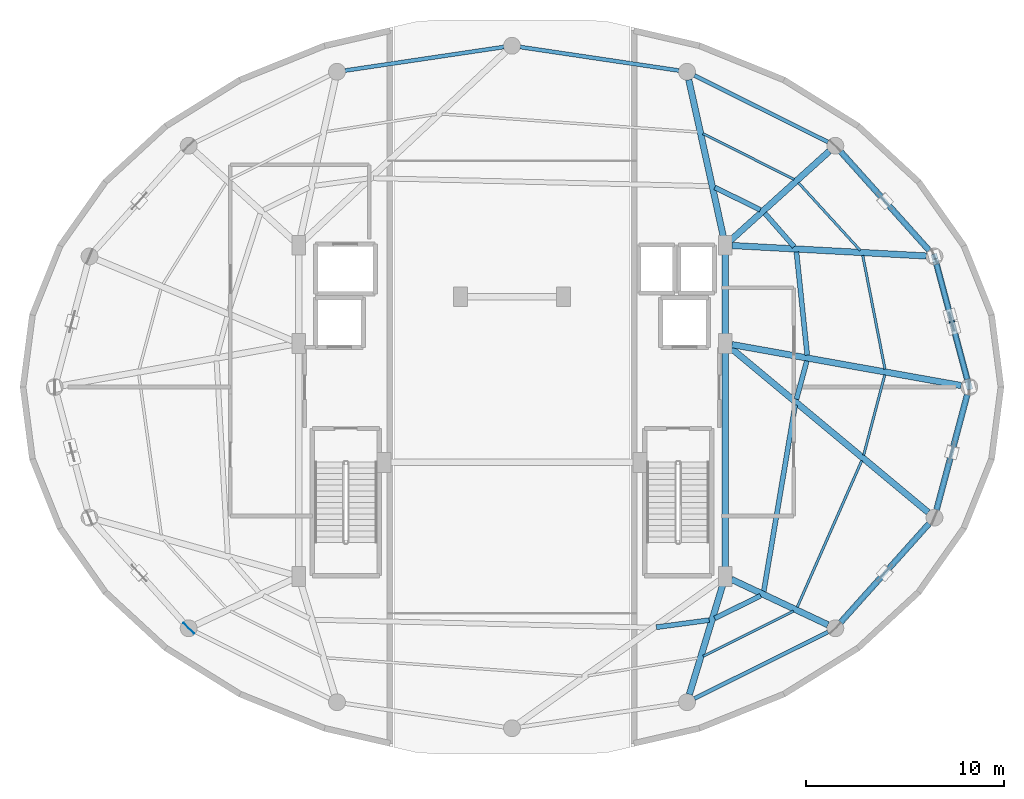
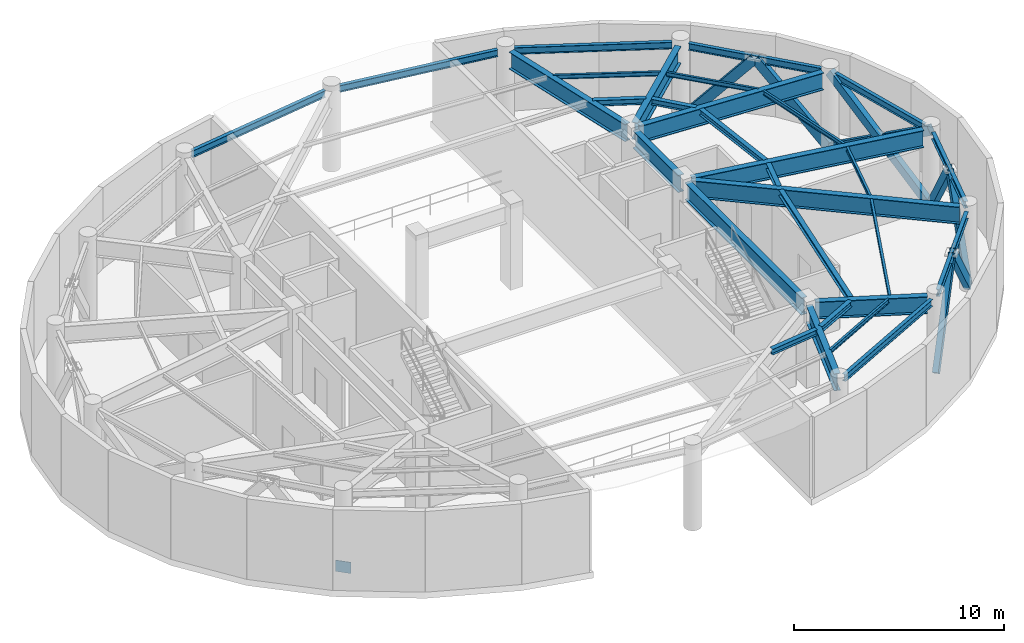
# One storey, part 2 of 7: 30 beams, 9 members, 1 plate.
"""IFC4 building model written with IfcOpenShell, lengths in metres."""

from ifc_helpers import new_model, si_unit, direction, frame, origin, origin_2d, place, context, subcontext, project, spatial, rectangle, hollow_rectangle, i_section, extrude, material, layer, layer_set, material_profile, profile_set, type_object, element, save


model = new_model("IFC4")

# Units and contexts
model_context = context("Model", 3, precision=1e-05, world=origin(), true_north=direction((0.0, 1.0)))
body_context = subcontext(model_context, "Body", "Model", "MODEL_VIEW")
ifc_project = project(units=[si_unit("LENGTHUNIT", "METRE"), si_unit("AREAUNIT", "SQUARE_METRE"), si_unit("VOLUMEUNIT", "CUBIC_METRE"), si_unit("PLANEANGLEUNIT", "RADIAN"), si_unit("MASSUNIT", "GRAM", prefix="KILO")], contexts=[model_context])

# Site, building, storey
site_placement = place(None, origin())
site = spatial("IfcSite", under=ifc_project, at=site_placement, CompositionType="ELEMENT")
building_placement = place(site_placement, origin())
building = spatial("IfcBuilding", under=site, at=building_placement, Name="Vorneva Point Tower", CompositionType="ELEMENT")
storey_placement = place(building_placement, frame((0.0, 0.0, 280.39990234375)))
storey = spatial("IfcBuildingStorey", under=building, at=storey_placement, Name="L76", CompositionType="ELEMENT", Elevation=280.39990234375)

# Beams
ifc_material_1 = material(Name="Steel S460", Category="steel")
ifc_material_profile_1 = material_profile(ifc_material_1, i_section(OverallWidth=0.320068359375, OverallDepth=0.998046875, WebThickness=0.01708984375, FlangeThickness=0.027099609375, at=origin_2d()), Name="100Sh2")
ifc_profile_set_1 = profile_set([ifc_material_profile_1], Name="Steel S460")
beam_type_1 = type_object("IfcBeamType", Name="BM-GRD-100Sh2", PredefinedType="USERDEFINED", material=ifc_profile_set_1)
beam_1_placement = place(storey_placement, frame((60.6435546875, 26.07275390625, 4.191162109375), z_axis=(-0.9843788355, 0.17606336422, 0.0), x_axis=(-0.17606336422, -0.9843788355, 0.0)))
element("IfcBeam", 1, at=beam_1_placement, inside=storey, type_object=beam_type_1, Name="L76 Radial Primary Girder 01", ObjectType="GIRDER", PredefinedType="USERDEFINED", context=body_context, shape_type="SweptSolid", body=[
    extrude(i_section(OverallWidth=0.320068359375, OverallDepth=0.998046875, WebThickness=0.01708984375, FlangeThickness=0.027099609375, at=origin_2d()), origin(), (0.0, 0.0, 1.0), 11.7421875),
])
beam_2_placement = place(storey_placement, frame((58.883056640625, 32.6044921875, 4.191162109375), z_axis=(-0.998554756376, 0.05374382308, 0.0), x_axis=(-0.05374382308, -0.998554756376, 0.0)))
element("IfcBeam", 2, at=beam_2_placement, inside=storey, type_object=beam_type_1, Name="L76 Radial Primary Girder 02", ObjectType="GIRDER", PredefinedType="USERDEFINED", context=body_context, shape_type="SweptSolid", body=[
    extrude(i_section(OverallWidth=0.320068359375, OverallDepth=0.998046875, WebThickness=0.01708984375, FlangeThickness=0.027099609375, at=origin_2d()), origin(), (0.0, 0.0, 1.0), 9.8076171875),
])
beam_3_placement = place(storey_placement, frame((53.9921875, 37.885498046875, 4.191162109375), z_axis=(-0.7420671051, -0.670325601128, 0.0), x_axis=(0.670325601128, -0.7420671051, 0.0)))
element("IfcBeam", 3, at=beam_3_placement, inside=storey, type_object=beam_type_1, Name="L76 Radial Primary Girder 03", ObjectType="GIRDER", PredefinedType="USERDEFINED", context=body_context, shape_type="SweptSolid", body=[
    extrude(i_section(OverallWidth=0.320068359375, OverallDepth=0.998046875, WebThickness=0.01708984375, FlangeThickness=0.027099609375, at=origin_2d()), origin(), (0.0, 0.0, 1.0), 6.724365234375),
])
beam_4_placement = place(storey_placement, frame((46.909912109375, 41.4873046875, 4.191162109375), z_axis=(0.215520742957, -0.976499262342, 0.0), x_axis=(0.976499262342, 0.215520742957, 0.0)))
element("IfcBeam", 4, at=beam_4_placement, inside=storey, type_object=beam_type_1, Name="L76 Radial Primary Girder 04", ObjectType="GIRDER", PredefinedType="USERDEFINED", context=body_context, shape_type="SweptSolid", body=[
    extrude(i_section(OverallWidth=0.320068359375, OverallDepth=0.998046875, WebThickness=0.01708984375, FlangeThickness=0.027099609375, at=origin_2d()), origin(), (0.0, 0.0, 1.0), 8.197998046875),
])
beam_5_placement = place(storey_placement, frame((46.941162109375, 10.50439453125, 4.191162109375), z_axis=(0.291032624293, 0.956713129207, 0.0), x_axis=(-0.956713129207, 0.291032624293, 0.0)))
element("IfcBeam", 5, at=beam_5_placement, inside=storey, type_object=beam_type_1, Name="L76 Radial Primary Girder 14", ObjectType="GIRDER", PredefinedType="USERDEFINED", context=body_context, shape_type="SweptSolid", body=[
    extrude(i_section(OverallWidth=0.320068359375, OverallDepth=0.998046875, WebThickness=0.01708984375, FlangeThickness=0.027099609375, at=origin_2d()), origin(), (0.0, 0.0, 1.0), 5.874755859375),
])
beam_6_placement = place(storey_placement, frame((53.925048828125, 14.013671875, 4.191162109375), z_axis=(-0.904750812805, 0.425941271455, 0.0), x_axis=(-0.425941271455, -0.904750812805, 0.0)))
element("IfcBeam", 6, at=beam_6_placement, inside=storey, type_object=beam_type_1, Name="L76 Radial Primary Girder 15", ObjectType="GIRDER", PredefinedType="USERDEFINED", context=body_context, shape_type="SweptSolid", body=[
    extrude(i_section(OverallWidth=0.320068359375, OverallDepth=0.998046875, WebThickness=0.01708984375, FlangeThickness=0.027099609375, at=origin_2d()), origin(), (0.0, 0.0, 1.0), 5.3798828125),
])
beam_7_placement = place(storey_placement, frame((58.97802734375, 19.68212890625, 4.191162109375), z_axis=(-0.768424898021, 0.639939978515, 0.0), x_axis=(-0.639939978515, -0.768424898021, 0.0)))
element("IfcBeam", 7, at=beam_7_placement, inside=storey, type_object=beam_type_1, Name="L76 Radial Primary Girder 16", ObjectType="GIRDER", PredefinedType="USERDEFINED", context=body_context, shape_type="SweptSolid", body=[
    extrude(i_section(OverallWidth=0.320068359375, OverallDepth=0.998046875, WebThickness=0.01708984375, FlangeThickness=0.027099609375, at=origin_2d()), origin(), (0.0, 0.0, 1.0), 12.970458984375),
])
beam_8_placement = place(storey_placement, frame((48.75, 16.77001953125, 4.191162109375), z_axis=(0.0, 1.0, 0.0), x_axis=(-1.0, 0.0, 0.0)))
element("IfcBeam", 8, at=beam_8_placement, inside=storey, type_object=beam_type_1, Name="L76 Core Tie Girder CT3", ObjectType="GIRDER", PredefinedType="USERDEFINED", context=body_context, shape_type="SweptSolid", body=[
    extrude(i_section(OverallWidth=0.320068359375, OverallDepth=0.998046875, WebThickness=0.01708984375, FlangeThickness=0.027099609375, at=origin_2d()), origin(), (0.0, 0.0, 1.0), 11.10986328125),
])
beam_9_placement = place(storey_placement, frame((48.75, 28.52001953125, 4.191162109375), z_axis=(0.0, 1.0, 0.0), x_axis=(-1.0, 0.0, 0.0)))
element("IfcBeam", 9, at=beam_9_placement, inside=storey, type_object=beam_type_1, Name="L76 Core Tie Girder CT4", ObjectType="GIRDER", PredefinedType="USERDEFINED", context=body_context, shape_type="SweptSolid", body=[
    extrude(i_section(OverallWidth=0.320068359375, OverallDepth=0.998046875, WebThickness=0.01708984375, FlangeThickness=0.027099609375, at=origin_2d()), origin(), (0.0, 0.0, 1.0), 4.31005859375),
])
ifc_material_2 = material(Name="Steel S355", Category="steel")
ifc_material_profile_2 = material_profile(ifc_material_2, i_section(OverallWidth=0.1240234375, OverallDepth=0.248046875, WebThickness=0.0048828125, FlangeThickness=0.008056640625, at=origin_2d()), Name="25B1")
ifc_profile_set_2 = profile_set([ifc_material_profile_2], Name="Steel S355")
beam_type_2 = type_object("IfcBeamType", Name="BM-JST-25B1", PredefinedType="JOIST", material=ifc_profile_set_2)
beam_10_placement = place(storey_placement, frame((56.80078125, 26.900146484375, 4.566162109375), z_axis=(-0.191951229052, 0.981404465888, 0.0), x_axis=(-0.981404465888, -0.191951229052, 0.0)))
element("IfcBeam", 10, at=beam_10_placement, inside=storey, type_object=beam_type_2, Name="L76 Secondary Floor Beam 1.01", PredefinedType="JOIST", context=body_context, shape_type="SweptSolid", body=[
    extrude(i_section(OverallWidth=0.1240234375, OverallDepth=0.248046875, WebThickness=0.0048828125, FlangeThickness=0.008056640625, at=origin_2d()), origin(), (0.0, 0.0, 1.0), 5.841796875),
])
beam_11_placement = place(storey_placement, frame((55.55126953125, 32.8876953125, 4.566162109375), z_axis=(-0.674364881665, 0.738398270838, 0.0), x_axis=(-0.738398270838, -0.674364881665, 0.0)))
element("IfcBeam", 11, at=beam_11_placement, inside=storey, type_object=beam_type_2, Name="L76 Secondary Floor Beam 1.02", PredefinedType="JOIST", context=body_context, shape_type="SweptSolid", body=[
    extrude(i_section(OverallWidth=0.1240234375, OverallDepth=0.248046875, WebThickness=0.0048828125, FlangeThickness=0.008056640625, at=origin_2d()), origin(), (0.0, 0.0, 1.0), 4.605712890625),
])
beam_12_placement = place(storey_placement, frame((52.21337890625, 36.464599609375, 4.566162109375), z_axis=(-0.892844399841, 0.450365271389, 0.0), x_axis=(-0.450365271389, -0.892844399841, 0.0)))
element("IfcBeam", 12, at=beam_12_placement, inside=storey, type_object=beam_type_2, Name="L76 Secondary Floor Beam 1.03", PredefinedType="JOIST", context=body_context, shape_type="SweptSolid", body=[
    extrude(i_section(OverallWidth=0.1240234375, OverallDepth=0.248046875, WebThickness=0.0048828125, FlangeThickness=0.008056640625, at=origin_2d()), origin(), (0.0, 0.0, 1.0), 5.13916015625),
])
beam_13_placement = place(storey_placement, frame((47.6376953125, 12.42529296875, 4.566162109375), z_axis=(0.894119854325, 0.44782774155, 0.0), x_axis=(-0.44782774155, 0.894119854325, 0.0)))
element("IfcBeam", 13, at=beam_13_placement, inside=storey, type_object=beam_type_2, Name="L76 Secondary Floor Beam 1.14", PredefinedType="JOIST", context=body_context, shape_type="SweptSolid", body=[
    extrude(i_section(OverallWidth=0.1240234375, OverallDepth=0.248046875, WebThickness=0.0048828125, FlangeThickness=0.008056640625, at=origin_2d()), origin(), (0.0, 0.0, 1.0), 5.08740234375),
])
beam_14_placement = place(storey_placement, frame((52.37841796875, 14.9052734375, 4.566162109375), z_axis=(0.403102780453, 0.915154712817, 0.0), x_axis=(-0.915154712817, 0.403102780453, 0.0)))
element("IfcBeam", 14, at=beam_14_placement, inside=storey, type_object=beam_type_2, Name="L76 Secondary Floor Beam 1.15", PredefinedType="JOIST", context=body_context, shape_type="SweptSolid", body=[
    extrude(i_section(OverallWidth=0.1240234375, OverallDepth=0.248046875, WebThickness=0.0048828125, FlangeThickness=0.008056640625, at=origin_2d()), origin(), (0.0, 0.0, 1.0), 8.06494140625),
])
beam_15_placement = place(storey_placement, frame((55.7265625, 22.564208984375, 4.566162109375), z_axis=(0.254444487405, 0.967087381176, 0.0), x_axis=(-0.967087381176, 0.254444487405, 0.0)))
element("IfcBeam", 15, at=beam_15_placement, inside=storey, type_object=beam_type_2, Name="L76 Secondary Floor Beam 1.16", PredefinedType="JOIST", context=body_context, shape_type="SweptSolid", body=[
    extrude(i_section(OverallWidth=0.1240234375, OverallDepth=0.248046875, WebThickness=0.0048828125, FlangeThickness=0.008056640625, at=origin_2d()), origin(), (0.0, 0.0, 1.0), 4.185302734375),
])
ifc_material_profile_3 = material_profile(ifc_material_2, i_section(OverallWidth=0.2490234375, OverallDepth=0.333984375, WebThickness=0.008056640625, FlangeThickness=0.010986328125, at=origin_2d()), Name="35Sh1")
ifc_profile_set_3 = profile_set([ifc_material_profile_3], Name="Steel S355")
beam_type_3 = type_object("IfcBeamType", Name="BM-SEC-35Sh1", PredefinedType="BEAM", material=ifc_profile_set_3)
beam_16_placement = place(storey_placement, frame((52.883544921875, 27.60498046875, 4.523193359375), z_axis=(-0.104434695615, 0.994531746276, 0.0), x_axis=(-0.994531746276, -0.104434695615, 0.0)))
element("IfcBeam", 16, at=beam_16_placement, inside=storey, type_object=beam_type_3, Name="L76 Secondary Floor Beam 2.01", PredefinedType="BEAM", context=body_context, shape_type="SweptSolid", body=[
    extrude(i_section(OverallWidth=0.2490234375, OverallDepth=0.333984375, WebThickness=0.008056640625, FlangeThickness=0.010986328125, at=origin_2d()), origin(), (0.0, 0.0, 1.0), 5.234130859375),
])
beam_17_placement = place(storey_placement, frame((52.223876953125, 33.069091796875, 4.523193359375), z_axis=(-0.659229320239, 0.751941954766, 0.0), x_axis=(-0.751941954766, -0.659229320239, 0.0)))
element("IfcBeam", 17, at=beam_17_placement, inside=storey, type_object=beam_type_3, Name="L76 Secondary Floor Beam 2.02", PredefinedType="BEAM", context=body_context, shape_type="SweptSolid", body=[
    extrude(i_section(OverallWidth=0.2490234375, OverallDepth=0.333984375, WebThickness=0.008056640625, FlangeThickness=0.010986328125, at=origin_2d()), origin(), (0.0, 0.0, 1.0), 2.240966796875),
])
beam_18_placement = place(storey_placement, frame((50.51611328125, 34.930908203125, 4.523193359375), z_axis=(-0.897146182372, 0.44173377441, 0.0), x_axis=(-0.44173377441, -0.897146182372, 0.0)))
element("IfcBeam", 18, at=beam_18_placement, inside=storey, type_object=beam_type_3, Name="L76 Secondary Floor Beam 2.03", PredefinedType="BEAM", context=body_context, shape_type="SweptSolid", body=[
    extrude(i_section(OverallWidth=0.2490234375, OverallDepth=0.333984375, WebThickness=0.008056640625, FlangeThickness=0.010986328125, at=origin_2d()), origin(), (0.0, 0.0, 1.0), 2.55224609375),
])
beam_19_placement = place(storey_placement, frame((45.274658203125, 13.89208984375, 4.523193359375), z_axis=(0.991093407392, 0.133168531658, 0.0), x_axis=(-0.133168531658, 0.991093407392, 0.0)))
element("IfcBeam", 19, at=beam_19_placement, inside=storey, type_object=beam_type_3, Name="L76 Secondary Floor Beam 2.13", PredefinedType="BEAM", context=body_context, shape_type="SweptSolid", body=[
    extrude(i_section(OverallWidth=0.2490234375, OverallDepth=0.333984375, WebThickness=0.008056640625, FlangeThickness=0.010986328125, at=origin_2d()), origin(), (0.0, 0.0, 1.0), 2.689453125),
])
beam_20_placement = place(storey_placement, frame((48.21923828125, 14.335693359375, 4.523193359375), z_axis=(0.895747500581, 0.444563173467, 0.0), x_axis=(-0.444563173467, 0.895747500581, 0.0)))
element("IfcBeam", 20, at=beam_20_placement, inside=storey, type_object=beam_type_3, Name="L76 Secondary Floor Beam 2.14", PredefinedType="BEAM", context=body_context, shape_type="SweptSolid", body=[
    extrude(i_section(OverallWidth=0.2490234375, OverallDepth=0.333984375, WebThickness=0.008056640625, FlangeThickness=0.010986328125, at=origin_2d()), origin(), (0.0, 0.0, 1.0), 2.5810546875),
])
beam_21_placement = place(storey_placement, frame((50.6884765625, 15.69482421875, 4.523193359375), z_axis=(0.166445494217, 0.986050656637, 0.0), x_axis=(-0.986050656637, 0.166445494217, 0.0)))
element("IfcBeam", 21, at=beam_21_placement, inside=storey, type_object=beam_type_3, Name="L76 Secondary Floor Beam 2.15", PredefinedType="BEAM", context=body_context, shape_type="SweptSolid", body=[
    extrude(i_section(OverallWidth=0.2490234375, OverallDepth=0.333984375, WebThickness=0.008056640625, FlangeThickness=0.010986328125, at=origin_2d()), origin(), (0.0, 0.0, 1.0), 9.53564453125),
])
beam_22_placement = place(storey_placement, frame((52.3388671875, 25.38623046875, 4.523193359375), z_axis=(0.261121375997, 0.965305975843, 0.0), x_axis=(-0.965305975843, 0.261121375997, 0.0)))
element("IfcBeam", 22, at=beam_22_placement, inside=storey, type_object=beam_type_3, Name="L76 Secondary Floor Beam 2.16", PredefinedType="BEAM", context=body_context, shape_type="SweptSolid", body=[
    extrude(i_section(OverallWidth=0.2490234375, OverallDepth=0.333984375, WebThickness=0.008056640625, FlangeThickness=0.010986328125, at=origin_2d()), origin(), (0.0, 0.0, 1.0), 1.998046875),
])
ifc_material_profile_4 = material_profile(ifc_material_2, i_section(OverallWidth=0.198974609375, OverallDepth=0.39599609375, WebThickness=0.007080078125, FlangeThickness=0.010986328125, at=origin_2d()), Name="40B1")
ifc_profile_set_4 = profile_set([ifc_material_profile_4], Name="Steel S355")
beam_type_4 = type_object("IfcBeamType", Name="BM-SPN-40B1", PredefinedType="SPANDREL", material=ifc_profile_set_4)
beam_23_placement = place(storey_placement, frame((60.9443359375, 26.396240234375, 4.4921875), z_axis=(-0.257586570866, 0.966255224312, 0.0), x_axis=(-0.966255224312, -0.257586570866, 0.0)))
element("IfcBeam", 23, at=beam_23_placement, inside=storey, type_object=beam_type_4, Name="L76 Perimeter Spandrel Ring Beam 01", PredefinedType="SPANDREL", context=body_context, shape_type="SweptSolid", body=[
    extrude(i_section(OverallWidth=0.198974609375, OverallDepth=0.39599609375, WebThickness=0.007080078125, FlangeThickness=0.010986328125, at=origin_2d()), origin(), (0.0, 0.0, 1.0), 5.991943359375),
])
beam_24_placement = place(storey_placement, frame((59.02197265625, 32.8876953125, 4.4921875), z_axis=(-0.667108282638, 0.744960763554, 0.0), x_axis=(-0.744960763554, -0.667108282638, 0.0)))
element("IfcBeam", 24, at=beam_24_placement, inside=storey, type_object=beam_type_4, Name="L76 Perimeter Spandrel Ring Beam 02", PredefinedType="SPANDREL", context=body_context, shape_type="SweptSolid", body=[
    extrude(i_section(OverallWidth=0.198974609375, OverallDepth=0.39599609375, WebThickness=0.007080078125, FlangeThickness=0.010986328125, at=origin_2d()), origin(), (0.0, 0.0, 1.0), 6.670166015625),
])
beam_25_placement = place(storey_placement, frame((53.931884765625, 38.34521484375, 4.4921875), z_axis=(-0.894932011528, 0.446202526599, 0.0), x_axis=(-0.446202526599, -0.894932011528, 0.0)))
element("IfcBeam", 25, at=beam_25_placement, inside=storey, type_object=beam_type_4, Name="L76 Perimeter Spandrel Ring Beam 03", PredefinedType="SPANDREL", context=body_context, shape_type="SweptSolid", body=[
    extrude(i_section(OverallWidth=0.198974609375, OverallDepth=0.39599609375, WebThickness=0.007080078125, FlangeThickness=0.010986328125, at=origin_2d()), origin(), (0.0, 0.0, 1.0), 7.535888671875),
])
for number, where, z_axis, x_axis, name in (
    (26, (46.415283203125, 41.950927734375, 4.4921875), (-0.989161657331, 0.146830567886, 0.0), (-0.146830567886, -0.989161657331, 0.0), "L76 Perimeter Spandrel Ring Beam 04"),
    (27, (37.594482421875, 43.139892578125, 4.4921875), (-0.989161657331, -0.146830567886, 0.0), (0.146830567886, -0.989161657331, 0.0), "L76 Perimeter Spandrel Ring Beam 05"),
):
    element("IfcBeam", number, at=place(storey_placement, frame(where, z_axis=z_axis, x_axis=x_axis)), inside=storey, type_object=beam_type_4, Name=name, PredefinedType="SPANDREL", context=body_context, shape_type="SweptSolid", body=[
        extrude(i_section(OverallWidth=0.198974609375, OverallDepth=0.39599609375, WebThickness=0.007080078125, FlangeThickness=0.010986328125, at=origin_2d()), origin(), (0.0, 0.0, 1.0), 8.097412109375),
    ])
beam_26_placement = place(storey_placement, frame((47.187744140625, 10.292236328125, 4.4921875), z_axis=(0.894932011528, 0.446202526599, 0.0), x_axis=(-0.446202526599, 0.894932011528, 0.0)))
element("IfcBeam", 28, at=beam_26_placement, inside=storey, type_object=beam_type_4, Name="L76 Perimeter Spandrel Ring Beam 14", PredefinedType="SPANDREL", context=body_context, shape_type="SweptSolid", body=[
    extrude(i_section(OverallWidth=0.198974609375, OverallDepth=0.39599609375, WebThickness=0.007080078125, FlangeThickness=0.010986328125, at=origin_2d()), origin(), (0.0, 0.0, 1.0), 7.535888671875),
])
beam_27_placement = place(storey_placement, frame((54.572265625, 14.143310546875, 4.4921875), z_axis=(0.667108282638, 0.744960763554, 0.0), x_axis=(-0.744960763554, 0.667108282638, 0.0)))
element("IfcBeam", 29, at=beam_27_placement, inside=storey, type_object=beam_type_4, Name="L76 Perimeter Spandrel Ring Beam 15", PredefinedType="SPANDREL", context=body_context, shape_type="SweptSolid", body=[
    extrude(i_section(OverallWidth=0.198974609375, OverallDepth=0.39599609375, WebThickness=0.007080078125, FlangeThickness=0.010986328125, at=origin_2d()), origin(), (0.0, 0.0, 1.0), 6.670166015625),
])
beam_28_placement = place(storey_placement, frame((59.40087890625, 19.81396484375, 4.4921875), z_axis=(0.257586570866, 0.966255224312, 0.0), x_axis=(-0.966255224312, 0.257586570866, 0.0)))
element("IfcBeam", 30, at=beam_28_placement, inside=storey, type_object=beam_type_4, Name="L76 Perimeter Spandrel Ring Beam 16", PredefinedType="SPANDREL", context=body_context, shape_type="SweptSolid", body=[
    extrude(i_section(OverallWidth=0.198974609375, OverallDepth=0.39599609375, WebThickness=0.007080078125, FlangeThickness=0.010986328125, at=origin_2d()), origin(), (0.0, 0.0, 1.0), 5.991943359375),
])

# Members
ifc_material_profile_5 = material_profile(ifc_material_1, hollow_rectangle(XDim=0.300048828125, YDim=0.5, WallThickness=0.01611328125, at=origin_2d()), Name="PP 500x300x16")
ifc_profile_set_5 = profile_set([ifc_material_profile_5], Name="Steel S460")
member_type = type_object("IfcMemberType", Name="MBR-PRT-PP500", PredefinedType="BRACE", material=ifc_profile_set_5)
member_1_placement = place(storey_placement, frame((61.050048828125, 26.0, 0.1201171875), z_axis=(-0.216077994203, 0.810585613148, 0.544298873945), x_axis=(-0.966258134442, -0.257575654176, 0.0)))
element("IfcMember", 31, at=member_1_placement, inside=storey, type_object=member_type, Name="L76 Perimeter Belt-Truss Continuous X-Brace 01A", PredefinedType="BRACE", context=body_context, shape_type="SweptSolid", body=[
    extrude(hollow_rectangle(XDim=0.300048828125, YDim=0.5, WallThickness=0.01611328125, at=origin_2d()), origin(), (0.0, 0.0, 1.0), 8.120361328125),
])
member_2_placement = place(storey_placement, frame((59.29541015625, 32.582275390625, 0.1201171875), z_axis=(0.216069105537, -0.81059633226, 0.544286439074), x_axis=(0.966261619174, 0.25756258135, 0.0)))
element("IfcMember", 32, at=member_2_placement, inside=storey, type_object=member_type, Name="L76 Perimeter Belt-Truss Split X-Brace 01B1", PredefinedType="BRACE", context=body_context, shape_type="SweptSolid", body=[
    extrude(hollow_rectangle(XDim=0.300048828125, YDim=0.5, WallThickness=0.01611328125, at=origin_2d()), origin(), (0.0, 0.0, 1.0), 3.620361328125),
])
member_3_placement = place(storey_placement, frame((60.267822265625, 28.934326171875, 2.569580078125), z_axis=(0.216080917308, -0.810573203848, 0.544316193382), x_axis=(0.966256285746, 0.257582589195, 0.0)))
element("IfcMember", 33, at=member_3_placement, inside=storey, type_object=member_type, Name="L76 Perimeter Belt-Truss Split X-Brace 01B2", PredefinedType="BRACE", context=body_context, shape_type="SweptSolid", body=[
    extrude(hollow_rectangle(XDim=0.300048828125, YDim=0.5, WallThickness=0.01611328125, at=origin_2d()), origin(), (0.0, 0.0, 1.0), 3.6201171875),
])
for number, where, z_axis, x_axis, name in (
    (34, (59.29541015625, 32.582275390625, 0.1201171875), (-0.431243378175, 0.481603569411, 0.762946361621), (-0.744983810219, -0.6670825455, 0.0), "L76 Perimeter Belt-Truss Diagonal 02A"),
    (35, (54.298828125, 38.162109375, 0.1201171875), (0.431252130548, -0.481571200603, 0.762961846129), (0.744954798906, 0.66711494331, 0.0), "L76 Perimeter Belt-Truss Diagonal 02B"),
    (36, (54.298828125, 13.837890625, 0.1201171875), (0.431252130548, 0.481571200603, 0.762961846129), (-0.744954798906, 0.66711494331, 0.0), "L76 Perimeter Belt-Truss Diagonal 15A"),
    (37, (59.29541015625, 19.417724609375, 0.1201171875), (-0.431243378175, -0.481603569411, 0.762946361621), (0.744983810219, -0.6670825455, 0.0), "L76 Perimeter Belt-Truss Diagonal 15B"),
):
    element("IfcMember", number, at=place(storey_placement, frame(where, z_axis=z_axis, x_axis=x_axis)), inside=storey, type_object=member_type, Name=name, PredefinedType="BRACE", context=body_context, shape_type="SweptSolid", body=[
        extrude(hollow_rectangle(XDim=0.300048828125, YDim=0.5, WallThickness=0.01611328125, at=origin_2d()), origin(), (0.0, 0.0, 1.0), 5.793212890625),
    ])
for number, where, z_axis, x_axis, name in (
    (38, (59.29541015625, 19.417724609375, 0.1201171875), (0.157200844235, 0.589820367696, 0.792085745625), (-0.96626943078, 0.257533273851, 0.0), "L76 Perimeter Belt-Truss Diagonal 16A"),
    (39, (61.050048828125, 26.0, 0.1201171875), (-0.157247572312, -0.589787778177, 0.7921007371), (0.966246835672, -0.257618036158, 0.0), "L76 Perimeter Belt-Truss Diagonal 16B"),
):
    element("IfcMember", number, at=place(storey_placement, frame(where, z_axis=z_axis, x_axis=x_axis)), inside=storey, type_object=member_type, Name=name, PredefinedType="BRACE", context=body_context, shape_type="SweptSolid", body=[
        extrude(hollow_rectangle(XDim=0.300048828125, YDim=0.5, WallThickness=0.01611328125, at=origin_2d()), origin(), (0.0, 0.0, 1.0), 5.580078125),
    ])

# Plate
ifc_layer = layer(ifc_material_1, 0.031982421875)
ifc_layer_set = layer_set([ifc_layer], Name="Steel S460")
plate_type = type_object("IfcPlateType", Name="PLT-GUS-32", PredefinedType="USERDEFINED", material=ifc_layer_set)
plate_placement = place(storey_placement, frame((21.701171875, 13.837890625, -0.054931640625), z_axis=(0.0, 0.0, 1.0), x_axis=(0.707106781187, -0.707106781187, 0.0)))
element("IfcPlate", 40, at=plate_placement, inside=storey, type_object=plate_type, Name="L76 Belt-Truss Column Base Gusset Plate 11", ObjectType="GUSSET PLATE", PredefinedType="USERDEFINED", context=body_context, shape_type="SweptSolid", body=[
    extrude(rectangle(XDim=0.75, YDim=0.031982421875, at=origin_2d()), origin(), (0.0, 0.0, 1.0), 0.64990234375),
])

save(model, "model.ifc")
